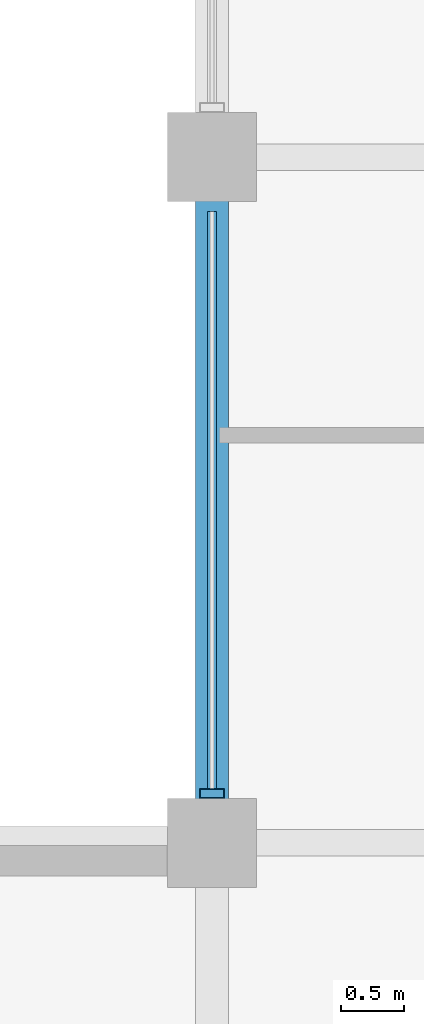
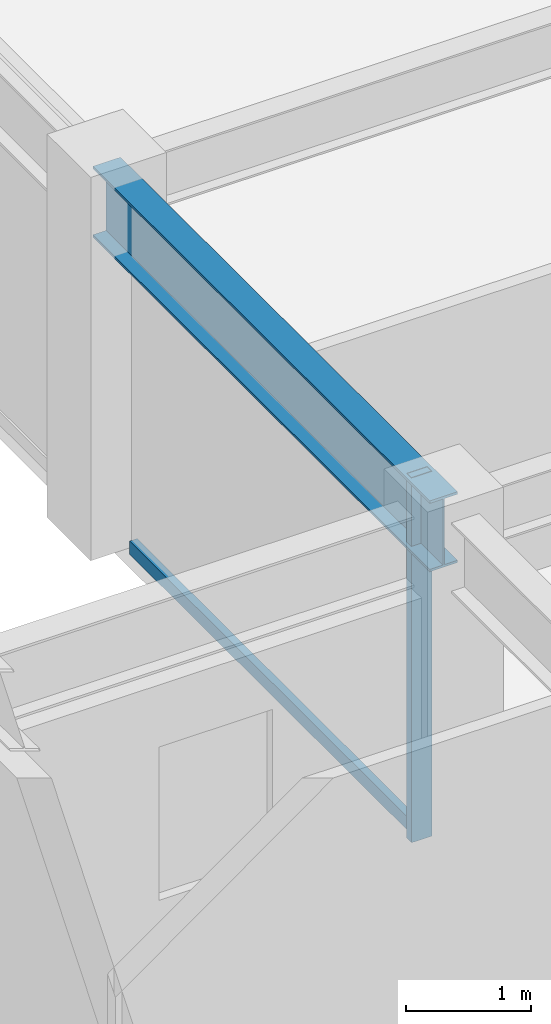
# One storey, part 7 of 31: 2 members, 1 beam, 1 element without a shape of its own.
"""IFC4 building model written with IfcOpenShell, lengths in metres."""

import ifcopenshell
import ifcopenshell.guid

model = None  # the IFC model being written
_history = None  # IfcOwnerHistory: only IFC2X3 demands one
_inside = {}  # id of a spatial element -> (the spatial element, [elements in it])
_under = {}  # id of a project, library or spatial element -> (it, [spatial elements below it])
_declared = {}  # id of a project -> (the project, [libraries it declares])
_typed = {}  # id of a type object -> (the type object, [elements of that type])
_made_of = {}  # id of a material, layer set ... -> (it, [elements and type objects made of it])


def new_model(schema):
    """Start an empty IFC model of exactly this schema.

    Asked for "IFC4X3", IfcOpenShell would pick the latest addendum, in which some entities
    have other attributes; the version numbers below select the first issue.
    IFC2X3 requires an IfcOwnerHistory on every rooted entity: one is made here for all.
    """
    global model, _history
    if schema == "IFC4X3":
        model = ifcopenshell.file(schema_version=(4, 3, 0, 0))
    else:
        model = ifcopenshell.file(schema=schema)
    _inside.clear()
    _under.clear()
    _declared.clear()
    _typed.clear()
    _made_of.clear()
    _history = None
    if model.schema == "IFC2X3":
        org = make("IfcOrganization", Name="unknown")
        user = make(
            "IfcPersonAndOrganization",
            ThePerson=make("IfcPerson", FamilyName="unknown"),
            TheOrganization=org,
        )
        app = make(
            "IfcApplication",
            ApplicationDeveloper=org,
            Version="unknown",
            ApplicationFullName="unknown",
            ApplicationIdentifier="unknown",
        )
        _history = make(
            "IfcOwnerHistory",
            OwningUser=user,
            OwningApplication=app,
            ChangeAction="ADDED",
            CreationDate=0,
        )
    return model


def make(cls, **values):
    """One entity of the class cls with the attributes given. An attribute that is None is left unset."""
    return model.create_entity(
        cls, **{name: value for name, value in values.items() if value is not None}
    )


def rooted(cls, **values):
    """An entity with a GlobalId (a new one), such as an element, a storey or a relation."""
    return make(cls, GlobalId=ifcopenshell.guid.new(), OwnerHistory=_history, **values)


def si_unit(unit_type, name, prefix=None):
    """IfcSIUnit, for example si_unit("LENGTHUNIT", "METRE", prefix="MILLI")."""
    return make("IfcSIUnit", UnitType=unit_type, Prefix=prefix, Name=name)


def assignment(units):
    """IfcUnitAssignment: the units of a project."""
    return None if units is None else make("IfcUnitAssignment", Units=units)


def point(xyz):
    """IfcCartesianPoint."""
    return None if xyz is None else make("IfcCartesianPoint", Coordinates=xyz)


def direction(xyz):
    """IfcDirection."""
    return None if xyz is None else make("IfcDirection", DirectionRatios=xyz)


def frame(location, z_axis=None, x_axis=None):
    """IfcAxis2Placement3D, a coordinate frame: its origin and axes. An axis left out is left unset."""
    return make(
        "IfcAxis2Placement3D",
        Location=point(location),
        Axis=direction(z_axis),
        RefDirection=direction(x_axis),
    )


def frame_2d(location, x_axis=None):
    """IfcAxis2Placement2D, a coordinate frame in the plane: its origin and x axis."""
    return make(
        "IfcAxis2Placement2D", Location=point(location), RefDirection=direction(x_axis)
    )


def origin():
    """The frame at (0, 0, 0) with its axes left unset."""
    return frame((0.0, 0.0, 0.0))


def origin_2d():
    """The frame at (0, 0) in the plane with its x axis left unset."""
    return frame_2d((0.0, 0.0))


def place(relative_to, where):
    """IfcLocalPlacement: puts the frame where relative to a parent placement (None: the world)."""
    return make(
        "IfcLocalPlacement", PlacementRelTo=relative_to, RelativePlacement=where
    )


def context(
    kind, dimensions, precision=None, world=None, true_north=None, identifier=None
):
    """IfcGeometricRepresentationContext, for example the 3D "Model" context."""
    return make(
        "IfcGeometricRepresentationContext",
        ContextIdentifier=identifier,
        ContextType=kind,
        CoordinateSpaceDimension=dimensions,
        Precision=precision,
        WorldCoordinateSystem=world,
        TrueNorth=true_north,
    )


def subcontext(parent, identifier, kind, view, scale=None):
    """IfcGeometricRepresentationSubContext, for example "Body" below "Model"."""
    return make(
        "IfcGeometricRepresentationSubContext",
        ContextIdentifier=identifier,
        ContextType=kind,
        ParentContext=parent,
        TargetScale=scale,
        TargetView=view,
    )


def project(units=None, contexts=None):
    """IfcProject with its units and contexts."""
    return rooted(
        "IfcProject",
        Name="project",
        RepresentationContexts=contexts,
        UnitsInContext=assignment(units),
    )


def spatial(cls, under=None, at=None, **own):
    """A site, building, storey or space (cls), placed at a placement, below another one or the project."""
    s = rooted(cls, ObjectPlacement=at, **own)
    if under is not None:
        _under.setdefault(under.id(), (under, []))[1].append(s)
    return s


def profile(cls, at=None, kind="AREA", **sizes):
    """A parametric profile (cls). Its sizes go by their IFC names, for example OverallWidth=200.0."""
    return make(cls, ProfileType=kind, Position=at, **sizes)


def hollow_rectangle(**sizes):
    """IfcRectangleHollowProfileDef."""
    return profile("IfcRectangleHollowProfileDef", **sizes)


def i_section(**sizes):
    """IfcIShapeProfileDef."""
    return profile("IfcIShapeProfileDef", **sizes)


def extrude(swept, where, along, depth):
    """IfcExtrudedAreaSolid: the profile swept, set in the frame where, extruded along a direction by depth."""
    return make(
        "IfcExtrudedAreaSolid",
        SweptArea=swept,
        Position=where,
        ExtrudedDirection=direction(along),
        Depth=depth,
    )


def shape(context_of_items, identifier, shape_type, items):
    """IfcShapeRepresentation: the items that make up one representation, for example the "Body"."""
    return make(
        "IfcShapeRepresentation",
        ContextOfItems=context_of_items,
        RepresentationIdentifier=identifier,
        RepresentationType=shape_type,
        Items=items,
    )


def material(Name=None, Category=None):
    """IfcMaterial."""
    return make("IfcMaterial", Name=Name, Category=Category)


def layer(
    of_material, thickness, ventilated=None, Name=None, Category=None, Priority=None
):
    """IfcMaterialLayer: one layer of a wall or slab, of a material (None: an air gap)."""
    return make(
        "IfcMaterialLayer",
        Material=of_material,
        LayerThickness=thickness,
        IsVentilated=ventilated,
        Name=Name,
        Category=Category,
        Priority=Priority,
    )


def layer_set(layers, Name=None):
    """IfcMaterialLayerSet."""
    return make("IfcMaterialLayerSet", MaterialLayers=layers, LayerSetName=Name)


def material_profile(
    of_material, cross_section, Name=None, Category=None, Priority=None
):
    """IfcMaterialProfile: a cross section and its material."""
    return make(
        "IfcMaterialProfile",
        Name=Name,
        Material=of_material,
        Profile=cross_section,
        Priority=Priority,
        Category=Category,
    )


def profile_set(profiles, Name=None, composite=None):
    """IfcMaterialProfileSet."""
    return make(
        "IfcMaterialProfileSet",
        Name=Name,
        MaterialProfiles=profiles,
        CompositeProfile=composite,
    )


def made_of(thing, what):
    """Note that an element or type object is made of a material, layer set ...; save() writes the relation."""
    if what is not None:
        _made_of.setdefault(what.id(), (what, []))[1].append(thing)
    return thing


def type_object(cls, material=None, **own):
    """A type object (cls), such as IfcWallType, which elements share."""
    return made_of(rooted(cls, **own), material)


def element(
    cls,
    number,
    at=None,
    inside=None,
    cuts=None,
    type_object=None,
    material=None,
    context=None,
    identifier="Body",
    shape_type=None,
    held_by="IfcProductDefinitionShape",
    body=None,
    shapes=None,
    **own,
):
    """One element of the class cls, such as IfcWall. Its Tag is "e" and its number.

    at: its placement. inside: the storey or other place that contains it. cuts: it is an
    opening in that element (IfcRelVoidsElement). A single representation is given by context,
    identifier, shape_type and body (its items); several are given by shapes. held_by: the class
    of the entity that holds the representations. save() writes the other relations.
    """
    e = rooted(cls, Tag="e%d" % number, ObjectPlacement=at, **own)
    if body is not None:
        shapes = [shape(context, identifier, shape_type, body)]
    if shapes is not None:
        e.Representation = make(held_by, Representations=shapes)
    if inside is not None:
        _inside.setdefault(inside.id(), (inside, []))[1].append(e)
    if cuts is not None:
        rooted(
            "IfcRelVoidsElement", RelatingBuildingElement=cuts, RelatedOpeningElement=e
        )
    if type_object is not None:
        _typed.setdefault(type_object.id(), (type_object, []))[1].append(e)
    return made_of(e, material)


def aggregate(whole, parts):
    """IfcRelAggregates: a whole, such as a stair, and the parts it consists of."""
    return rooted("IfcRelAggregates", RelatingObject=whole, RelatedObjects=parts)


def save(model, path):
    """Write the relations noted so far, then the file.

    IfcRelAggregates (storeys below a building ...), IfcRelContainedInSpatialStructure (elements
    in a storey), IfcRelDefinesByType, IfcRelAssociatesMaterial and IfcRelDeclares: one each for
    every whole, place, type object, material and project.
    """
    for whole, parts in _under.values():
        aggregate(whole, parts)
    for where, things in _inside.values():
        rooted(
            "IfcRelContainedInSpatialStructure",
            RelatedElements=things,
            RelatingStructure=where,
        )
    for kind, things in _typed.values():
        rooted("IfcRelDefinesByType", RelatedObjects=things, RelatingType=kind)
    for what, things in _made_of.values():
        rooted("IfcRelAssociatesMaterial", RelatedObjects=things, RelatingMaterial=what)
    for by, libraries in _declared.values():
        rooted("IfcRelDeclares", RelatingContext=by, RelatedDefinitions=libraries)
    model.write(path)


model = new_model("IFC4")

# Units and contexts
model_context = context("Model", 3, precision=1e-05, world=origin(), true_north=direction((0.0, 1.0)))
body_context = subcontext(model_context, "Body", "Model", "MODEL_VIEW")
ifc_project = project(units=[si_unit("LENGTHUNIT", "METRE"), si_unit("AREAUNIT", "SQUARE_METRE"), si_unit("VOLUMEUNIT", "CUBIC_METRE"), si_unit("PLANEANGLEUNIT", "RADIAN"), si_unit("MASSUNIT", "GRAM", prefix="KILO")], contexts=[model_context])

# Site, building, storey
site_placement = place(None, origin())
site = spatial("IfcSite", under=ifc_project, at=site_placement, CompositionType="ELEMENT")
building_placement = place(site_placement, origin())
building = spatial("IfcBuilding", under=site, at=building_placement, Name="Surkhivell Harbour Commons", CompositionType="ELEMENT")
storey_placement = place(building_placement, frame((0.0, 0.0, 315.0)))
storey = spatial("IfcBuildingStorey", under=building, at=storey_placement, Name="L82", CompositionType="ELEMENT", Elevation=315.0)

# Beam
ifc_material_1 = material(Name="Steel S355", Category="steel")
ifc_material_profile_1 = material_profile(ifc_material_1, i_section(OverallWidth=0.256103515625, OverallDepth=0.693115234375, WebThickness=0.014404296875, FlangeThickness=0.023681640625, at=origin_2d()), Name="UB686x254x170")
ifc_profile_set_1 = profile_set([ifc_material_profile_1], Name="Steel S355")
beam_type = type_object("IfcBeamType", Name="BM-SPN-686", PredefinedType="SPANDREL", material=ifc_profile_set_1)
beam_placement = place(storey_placement, frame((-27.0, 5.39990234375, 3.223388671875), z_axis=(0.0, 1.0, 0.0), x_axis=(-1.0, 0.0, 0.0)))
element("IfcBeam", 1, at=beam_placement, inside=storey, type_object=beam_type, Name="L82 Tube Spandrel (-27.0,5.4)", PredefinedType="SPANDREL", context=body_context, shape_type="SweptSolid", body=[
    extrude(i_section(OverallWidth=0.256103515625, OverallDepth=0.693115234375, WebThickness=0.014404296875, FlangeThickness=0.023681640625, at=origin_2d()), origin(), (0.0, 0.0, 1.0), 5.400146484375),
])

# Curtain wall, members
ifc_material_2 = material(Name="Anodised pale-metal aluminium and insulated glazing", Category="aluminium")
ifc_layer = layer(ifc_material_2, 0.175048828125)
ifc_layer_set = layer_set([ifc_layer], Name="Anodised pale-metal aluminium and insulated glazing")
curtain_wall_type = type_object("IfcCurtainWallType", Name="CW-SYS-Z4", PredefinedType="NOTDEFINED", material=ifc_layer_set)
curtain_wall_placement = place(storey_placement, origin())
curtain_wall = element("IfcCurtainWall", 2, at=curtain_wall_placement, inside=storey, type_object=curtain_wall_type, Name="L82 Curtain Wall CW-L82-E12R2", PredefinedType="NOTDEFINED")
ifc_material_3 = material(Name="Anodised pale-metal aluminium alloy 6063-T6", Category="aluminium")
ifc_material_profile_2 = material_profile(ifc_material_3, hollow_rectangle(XDim=0.074951171875, YDim=0.18994140625, WallThickness=0.00390625, at=origin_2d()), Name="ALU-MULL-75x190")
ifc_profile_set_2 = profile_set([ifc_material_profile_2], Name="Anodised pale-metal aluminium alloy 6063-T6")
member_type_1 = type_object("IfcMemberType", Name="CWM-190", PredefinedType="MULLION", material=ifc_profile_set_2)
member_1_placement = place(storey_placement, frame((-27.0, 5.78955078125, 0.0), z_axis=(0.0, 0.0, 1.0), x_axis=(0.0, 1.0, 0.0)))
member_1 = element("IfcMember", 3, at=member_1_placement, type_object=member_type_1, Name="CW-Z4 mullion 1", PredefinedType="MULLION", context=body_context, shape_type="SweptSolid", body=[
    extrude(hollow_rectangle(XDim=0.074951171875, YDim=0.18994140625, WallThickness=0.00390625, at=origin_2d()), origin(), (0.0, 0.0, 1.0), 3.570068359375),
])
ifc_material_4 = material(Name="Champagne anodised aluminium alloy 6063-T6", Category="aluminium")
ifc_material_profile_3 = material_profile(ifc_material_4, hollow_rectangle(XDim=0.070068359375, YDim=0.1298828125, WallThickness=0.00341796875, at=origin_2d()), Name="ALU-TRAN-70x130")
ifc_profile_set_3 = profile_set([ifc_material_profile_3], Name="Champagne anodised aluminium alloy 6063-T6")
member_type_2 = type_object("IfcMemberType", Name="CWT-130", PredefinedType="USERDEFINED", material=ifc_profile_set_3)
member_2_placement = place(storey_placement, frame((-27.0, 5.826904296875, 0.06494140625), z_axis=(0.0, 1.0, 0.0), x_axis=(-1.0, 0.0, 0.0)))
member_2 = element("IfcMember", 4, at=member_2_placement, type_object=member_type_2, Name="CW-Z4 transom 1.1", ObjectType="TRANSOM", PredefinedType="USERDEFINED", context=body_context, shape_type="SweptSolid", body=[
    extrude(hollow_rectangle(XDim=0.070068359375, YDim=0.1298828125, WallThickness=0.00341796875, at=origin_2d()), origin(), (0.0, 0.0, 1.0), 4.546142578125),
])
aggregate(curtain_wall, [member_1, member_2])

save(model, "model.ifc")
